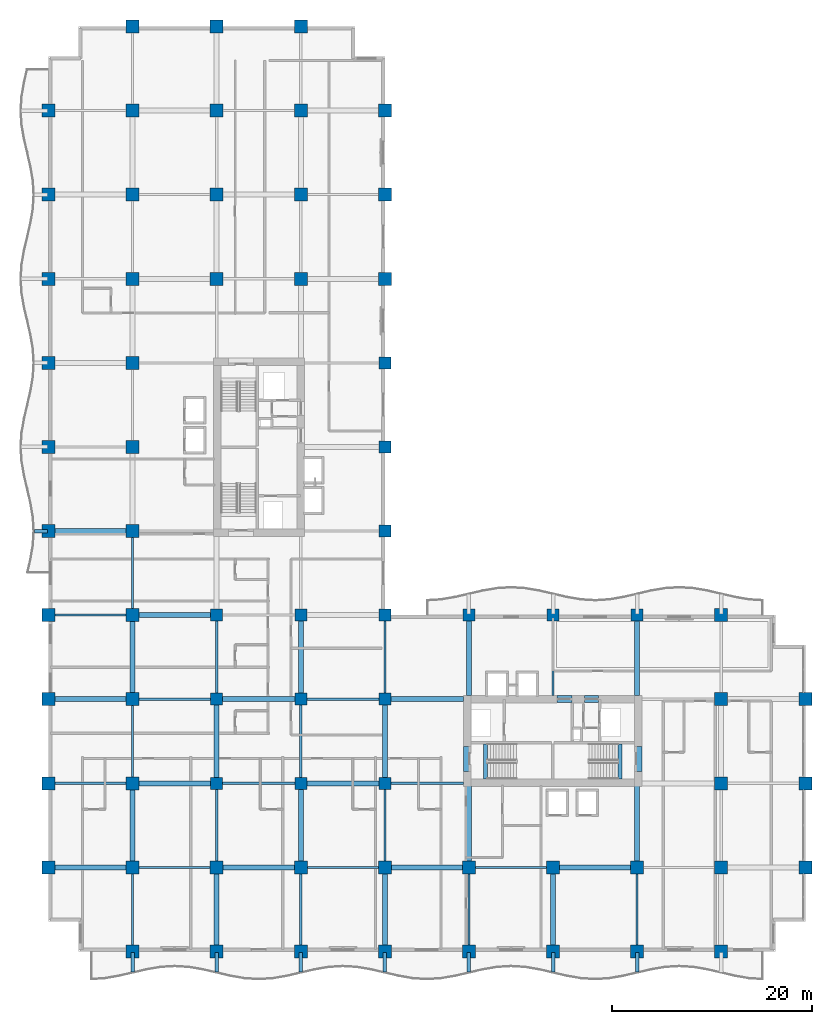
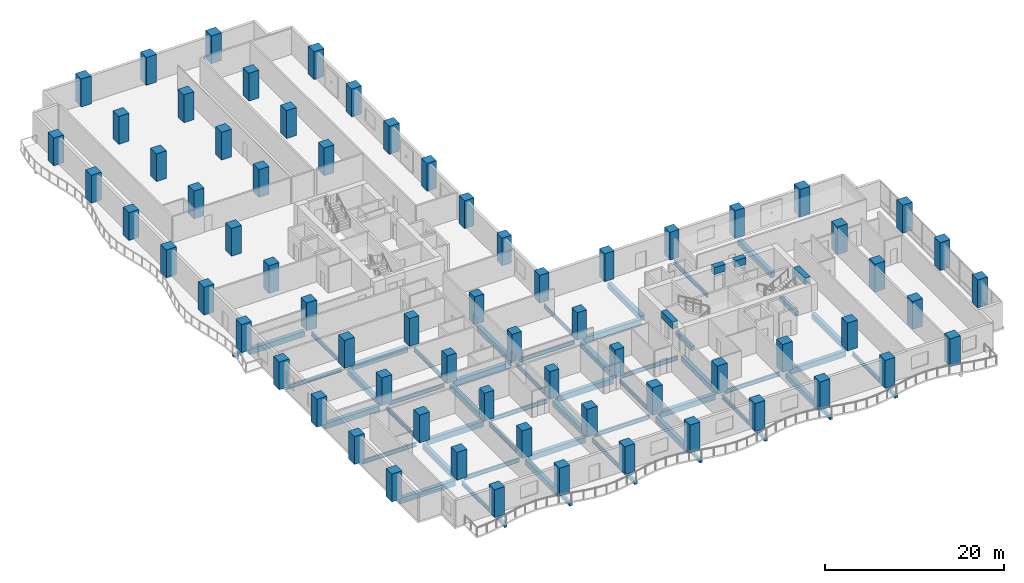
# One storey, part 1 of 23: 68 columns, 59 beams.
"""IFC4 building model written with IfcOpenShell, lengths in metres."""

from ifc_helpers import new_model, si_unit, direction, frame, origin, origin_2d, place, context, subcontext, project, spatial, rectangle, i_section, extrude, material, material_profile, profile_set, type_object, element, save


model = new_model("IFC4")

# Units and contexts
model_context = context("Model", 3, precision=1e-05, world=origin(), true_north=direction((0.0, 1.0)))
body_context = subcontext(model_context, "Body", "Model", "MODEL_VIEW")
ifc_project = project(units=[si_unit("LENGTHUNIT", "METRE"), si_unit("AREAUNIT", "SQUARE_METRE"), si_unit("VOLUMEUNIT", "CUBIC_METRE"), si_unit("PLANEANGLEUNIT", "RADIAN"), si_unit("MASSUNIT", "GRAM", prefix="KILO")], contexts=[model_context])

# Site, building, storey
site_placement = place(None, origin())
site = spatial("IfcSite", under=ifc_project, at=site_placement, CompositionType="ELEMENT")
building_placement = place(site_placement, origin())
building = spatial("IfcBuilding", under=site, at=building_placement, Name="Koriwani Terraces Tower", CompositionType="ELEMENT")
storey_placement = place(building_placement, frame((0.0, 0.0, 119.0)))
storey = spatial("IfcBuildingStorey", under=building, at=storey_placement, Name="L28", CompositionType="ELEMENT", Elevation=119.0)

# Columns
ifc_material_1 = material(Name="Concrete C60/75", Category="concrete")
ifc_material_profile_1 = material_profile(ifc_material_1, rectangle(XDim=1.199951171875, YDim=1.199951171875, at=origin_2d()), Name="Concrete C60/75", Category="LoadBearing")
ifc_profile_set_1 = profile_set([ifc_material_profile_1], Name="Concrete C60/75")
column_type_1 = type_object("IfcColumnType", Name="COL_RC_1200X1200", PredefinedType="COLUMN", material=ifc_profile_set_1)
for number, where, z_axis, x_axis, name in (
    (1, (16.800048828125, 16.800048828125, 0.0), (0.0, 0.0, 1.0), (1.0, 0.0, 0.0), "L28 Column 3/C"),
    (2, (16.800048828125, 25.199951171875, 0.0), (0.0, 0.0, 1.0), (1.0, 0.0, 0.0), "L28 Column 3/D"),
    (3, (16.800048828125, 33.60009765625, 0.0), (0.0, 0.0, 1.0), (1.0, 0.0, 0.0), "L28 Column 3/E"),
    (4, (25.199951171875, 16.800048828125, 0.0), (0.0, 0.0, 1.0), (1.0, 0.0, 0.0), "L28 Column 4/C"),
    (5, (25.199951171875, 25.199951171875, 0.0), (0.0, 0.0, 1.0), (1.0, 0.0, 0.0), "L28 Column 4/D"),
    (6, (25.199951171875, 33.60009765625, 0.0), (0.0, 0.0, 1.0), (1.0, 0.0, 0.0), "L28 Column 4/E"),
    (7, (33.60009765625, 16.800048828125, 0.0), (0.0, 0.0, 1.0), (1.0, 0.0, 0.0), "L28 Column 5/C"),
    (8, (33.60009765625, 25.199951171875, 0.0), (0.0, 0.0, 1.0), (1.0, 0.0, 0.0), "L28 Column 5/D"),
    (9, (33.60009765625, 33.60009765625, 0.0), (0.0, 0.0, 1.0), (1.0, 0.0, 0.0), "L28 Column 5/E"),
    (10, (33.60009765625, 42.0, 0.0), (0.0, 0.0, 1.0), (1.0, 0.0, 0.0), "L28 Column 5/F"),
    (11, (33.60009765625, 50.39990234375, 0.0), (0.0, 0.0, 1.0), (1.0, 0.0, 0.0), "L28 Column 5/G"),
    (12, (33.60009765625, 58.800048828125, 0.0), (0.0, 0.0, 1.0), (1.0, 0.0, 0.0), "L28 Column 5/H"),
    (13, (42.0, 33.60009765625, 0.0), (0.0, 0.0, 1.0), (1.0, 0.0, 0.0), "L28 Column 6/E"),
    (14, (50.39990234375, 33.60009765625, 0.0), (0.0, 0.0, 1.0), (1.0, 0.0, 0.0), "L28 Column 7/E"),
    (15, (58.800048828125, 33.60009765625, 0.0), (0.0, 0.0, 1.0), (1.0, 0.0, 0.0), "L28 Column 8/E"),
):
    element("IfcColumn", number, at=place(storey_placement, frame(where, z_axis=z_axis, x_axis=x_axis)), inside=storey, type_object=column_type_1, Name=name, PredefinedType="COLUMN", context=body_context, shape_type="SweptSolid", body=[
        extrude(rectangle(XDim=1.199951171875, YDim=1.199951171875, at=origin_2d()), origin(), (0.0, 0.0, 1.0), 3.800048828125),
    ])
ifc_material_profile_2 = material_profile(ifc_material_1, rectangle(XDim=1.300048828125, YDim=1.300048828125, at=origin_2d()), Name="Concrete C60/75", Category="LoadBearing")
ifc_profile_set_2 = profile_set([ifc_material_profile_2], Name="Concrete C60/75")
column_type_2 = type_object("IfcColumnType", Name="COL_RC_1300X1300", PredefinedType="COLUMN", material=ifc_profile_set_2)
for number, where, z_axis, x_axis, name in (
    (16, (0.0, 8.39990234375, 0.0), (0.0, 0.0, 1.0), (1.0, 0.0, 0.0), "L28 Column 1/B"),
    (17, (0.0, 16.800048828125, 0.0), (0.0, 0.0, 1.0), (1.0, 0.0, 0.0), "L28 Column 1/C"),
    (18, (0.0, 25.199951171875, 0.0), (0.0, 0.0, 1.0), (1.0, 0.0, 0.0), "L28 Column 1/D"),
    (19, (0.0, 33.60009765625, 0.0), (0.0, 0.0, 1.0), (1.0, 0.0, 0.0), "L28 Column 1/E"),
    (20, (0.0, 42.0, 0.0), (0.0, 0.0, 1.0), (1.0, 0.0, 0.0), "L28 Column 1/F"),
    (21, (0.0, 50.39990234375, 0.0), (0.0, 0.0, 1.0), (1.0, 0.0, 0.0), "L28 Column 1/G"),
    (22, (0.0, 58.800048828125, 0.0), (0.0, 0.0, 1.0), (1.0, 0.0, 0.0), "L28 Column 1/H"),
    (23, (0.0, 67.199951171875, 0.0), (0.0, 0.0, 1.0), (1.0, 0.0, 0.0), "L28 Column 1/I"),
    (24, (0.0, 75.60009765625, 0.0), (0.0, 0.0, 1.0), (1.0, 0.0, 0.0), "L28 Column 1/J"),
    (25, (0.0, 84.0, 0.0), (0.0, 0.0, 1.0), (1.0, 0.0, 0.0), "L28 Column 1/K"),
    (26, (8.39990234375, 0.0, 0.0), (0.0, 0.0, 1.0), (1.0, 0.0, 0.0), "L28 Column 2/A"),
    (27, (8.39990234375, 8.39990234375, 0.0), (0.0, 0.0, 1.0), (1.0, 0.0, 0.0), "L28 Column 2/B"),
    (28, (8.39990234375, 16.800048828125, 0.0), (0.0, 0.0, 1.0), (1.0, 0.0, 0.0), "L28 Column 2/C"),
    (29, (8.39990234375, 25.199951171875, 0.0), (0.0, 0.0, 1.0), (1.0, 0.0, 0.0), "L28 Column 2/D"),
    (30, (8.39990234375, 33.60009765625, 0.0), (0.0, 0.0, 1.0), (1.0, 0.0, 0.0), "L28 Column 2/E"),
    (31, (8.39990234375, 42.0, 0.0), (0.0, 0.0, 1.0), (1.0, 0.0, 0.0), "L28 Column 2/F"),
    (32, (8.39990234375, 50.39990234375, 0.0), (0.0, 0.0, 1.0), (1.0, 0.0, 0.0), "L28 Column 2/G"),
    (33, (8.39990234375, 58.800048828125, 0.0), (0.0, 0.0, 1.0), (1.0, 0.0, 0.0), "L28 Column 2/H"),
    (34, (8.39990234375, 67.199951171875, 0.0), (0.0, 0.0, 1.0), (1.0, 0.0, 0.0), "L28 Column 2/I"),
    (35, (8.39990234375, 75.60009765625, 0.0), (0.0, 0.0, 1.0), (1.0, 0.0, 0.0), "L28 Column 2/J"),
    (36, (8.39990234375, 84.0, 0.0), (0.0, 0.0, 1.0), (1.0, 0.0, 0.0), "L28 Column 2/K"),
    (37, (8.39990234375, 92.39990234375, 0.0), (0.0, 0.0, 1.0), (1.0, 0.0, 0.0), "L28 Column 2/L"),
    (38, (16.800048828125, 0.0, 0.0), (0.0, 0.0, 1.0), (1.0, 0.0, 0.0), "L28 Column 3/A"),
    (39, (16.800048828125, 8.39990234375, 0.0), (0.0, 0.0, 1.0), (1.0, 0.0, 0.0), "L28 Column 3/B"),
    (40, (16.800048828125, 67.199951171875, 0.0), (0.0, 0.0, 1.0), (1.0, 0.0, 0.0), "L28 Column 3/I"),
    (41, (16.800048828125, 75.60009765625, 0.0), (0.0, 0.0, 1.0), (1.0, 0.0, 0.0), "L28 Column 3/J"),
    (42, (16.800048828125, 84.0, 0.0), (0.0, 0.0, 1.0), (1.0, 0.0, 0.0), "L28 Column 3/K"),
    (43, (16.800048828125, 92.39990234375, 0.0), (0.0, 0.0, 1.0), (1.0, 0.0, 0.0), "L28 Column 3/L"),
    (44, (25.199951171875, 0.0, 0.0), (0.0, 0.0, 1.0), (1.0, 0.0, 0.0), "L28 Column 4/A"),
    (45, (25.199951171875, 8.39990234375, 0.0), (0.0, 0.0, 1.0), (1.0, 0.0, 0.0), "L28 Column 4/B"),
    (46, (25.199951171875, 67.199951171875, 0.0), (0.0, 0.0, 1.0), (1.0, 0.0, 0.0), "L28 Column 4/I"),
    (47, (25.199951171875, 75.60009765625, 0.0), (0.0, 0.0, 1.0), (1.0, 0.0, 0.0), "L28 Column 4/J"),
    (48, (25.199951171875, 84.0, 0.0), (0.0, 0.0, 1.0), (1.0, 0.0, 0.0), "L28 Column 4/K"),
    (49, (25.199951171875, 92.39990234375, 0.0), (0.0, 0.0, 1.0), (1.0, 0.0, 0.0), "L28 Column 4/L"),
    (50, (33.60009765625, 0.0, 0.0), (0.0, 0.0, 1.0), (1.0, 0.0, 0.0), "L28 Column 5/A"),
    (51, (33.60009765625, 8.39990234375, 0.0), (0.0, 0.0, 1.0), (1.0, 0.0, 0.0), "L28 Column 5/B"),
    (52, (33.60009765625, 67.199951171875, 0.0), (0.0, 0.0, 1.0), (1.0, 0.0, 0.0), "L28 Column 5/I"),
    (53, (33.60009765625, 75.60009765625, 0.0), (0.0, 0.0, 1.0), (1.0, 0.0, 0.0), "L28 Column 5/J"),
    (54, (33.60009765625, 84.0, 0.0), (0.0, 0.0, 1.0), (1.0, 0.0, 0.0), "L28 Column 5/K"),
    (55, (42.0, 0.0, 0.0), (0.0, 0.0, 1.0), (1.0, 0.0, 0.0), "L28 Column 6/A"),
    (56, (42.0, 8.39990234375, 0.0), (0.0, 0.0, 1.0), (1.0, 0.0, 0.0), "L28 Column 6/B"),
    (57, (50.39990234375, 0.0, 0.0), (0.0, 0.0, 1.0), (1.0, 0.0, 0.0), "L28 Column 7/A"),
    (58, (50.39990234375, 8.39990234375, 0.0), (0.0, 0.0, 1.0), (1.0, 0.0, 0.0), "L28 Column 7/B"),
    (59, (58.800048828125, 0.0, 0.0), (0.0, 0.0, 1.0), (1.0, 0.0, 0.0), "L28 Column 8/A"),
    (60, (58.800048828125, 8.39990234375, 0.0), (0.0, 0.0, 1.0), (1.0, 0.0, 0.0), "L28 Column 8/B"),
    (61, (67.199951171875, 0.0, 0.0), (0.0, 0.0, 1.0), (1.0, 0.0, 0.0), "L28 Column 9/A"),
    (62, (67.199951171875, 8.39990234375, 0.0), (0.0, 0.0, 1.0), (1.0, 0.0, 0.0), "L28 Column 9/B"),
    (63, (67.199951171875, 16.800048828125, 0.0), (0.0, 0.0, 1.0), (1.0, 0.0, 0.0), "L28 Column 9/C"),
    (64, (67.199951171875, 25.199951171875, 0.0), (0.0, 0.0, 1.0), (1.0, 0.0, 0.0), "L28 Column 9/D"),
    (65, (67.199951171875, 33.60009765625, 0.0), (0.0, 0.0, 1.0), (1.0, 0.0, 0.0), "L28 Column 9/E"),
    (66, (75.60009765625, 8.39990234375, 0.0), (0.0, 0.0, 1.0), (1.0, 0.0, 0.0), "L28 Column 10/B"),
    (67, (75.60009765625, 16.800048828125, 0.0), (0.0, 0.0, 1.0), (1.0, 0.0, 0.0), "L28 Column 10/C"),
    (68, (75.60009765625, 25.199951171875, 0.0), (0.0, 0.0, 1.0), (1.0, 0.0, 0.0), "L28 Column 10/D"),
):
    element("IfcColumn", number, at=place(storey_placement, frame(where, z_axis=z_axis, x_axis=x_axis)), inside=storey, type_object=column_type_2, Name=name, PredefinedType="COLUMN", context=body_context, shape_type="SweptSolid", body=[
        extrude(rectangle(XDim=1.300048828125, YDim=1.300048828125, at=origin_2d()), origin(), (0.0, 0.0, 1.0), 3.800048828125),
    ])

# Beams
ifc_material_2 = material(Name="Concrete C40/50", Category="concrete")
ifc_material_profile_3 = material_profile(ifc_material_2, rectangle(XDim=0.35009765625, YDim=0.449951171875, at=origin_2d()), Name="Concrete C40/50", Category="LoadBearing")
ifc_profile_set_3 = profile_set([ifc_material_profile_3], Name="Concrete C40/50")
beam_type_1 = type_object("IfcBeamType", Name="BEAM_RC_BALCONY_RIB_350X450", PredefinedType="JOIST", material=ifc_profile_set_3)
for number, where, z_axis, x_axis, name in (
    (69, (8.39990234375, -2.050048828125, -0.47509765625), (0.0, 1.0, 0.0), (-1.0, 0.0, 0.0), "L28 Balcony Bracket Rib S-1"),
    (70, (16.800048828125, -2.050048828125, -0.47509765625), (0.0, 1.0, 0.0), (-1.0, 0.0, 0.0), "L28 Balcony Bracket Rib S-2"),
    (71, (25.199951171875, -2.050048828125, -0.47509765625), (0.0, 1.0, 0.0), (-1.0, 0.0, 0.0), "L28 Balcony Bracket Rib S-3"),
    (72, (33.60009765625, -2.050048828125, -0.47509765625), (0.0, 1.0, 0.0), (-1.0, 0.0, 0.0), "L28 Balcony Bracket Rib S-4"),
    (73, (42.0, -2.050048828125, -0.47509765625), (0.0, 1.0, 0.0), (-1.0, 0.0, 0.0), "L28 Balcony Bracket Rib S-5"),
    (74, (50.39990234375, -2.050048828125, -0.47509765625), (0.0, 1.0, 0.0), (-1.0, 0.0, 0.0), "L28 Balcony Bracket Rib S-6"),
    (75, (58.800048828125, -2.050048828125, -0.47509765625), (0.0, 1.0, 0.0), (-1.0, 0.0, 0.0), "L28 Balcony Bracket Rib S-7"),
):
    element("IfcBeam", number, at=place(storey_placement, frame(where, z_axis=z_axis, x_axis=x_axis)), inside=storey, type_object=beam_type_1, Name=name, PredefinedType="JOIST", context=body_context, shape_type="SweptSolid", body=[
        extrude(rectangle(XDim=0.35009765625, YDim=0.449951171875, at=origin_2d()), origin(), (0.0, 0.0, 1.0), 1.949951171875),
    ])
beam_1_placement = place(storey_placement, frame((-1.39990234375, 42.0, -0.47509765625), z_axis=(1.0, 0.0, 0.0), x_axis=(0.0, 1.0, 0.0)))
element("IfcBeam", 76, at=beam_1_placement, inside=storey, type_object=beam_type_1, Name="L28 Balcony Bracket Rib W-1", PredefinedType="JOIST", context=body_context, shape_type="SweptSolid", body=[
    extrude(rectangle(XDim=0.35009765625, YDim=0.449951171875, at=origin_2d()), origin(), (0.0, 0.0, 1.0), 1.2998046875),
])
ifc_material_profile_4 = material_profile(ifc_material_1, rectangle(XDim=0.699951171875, YDim=0.949951171875, at=origin_2d()), Name="Concrete C60/75", Category="LoadBearing")
ifc_profile_set_4 = profile_set([ifc_material_profile_4], Name="Concrete C60/75")
beam_type_2 = type_object("IfcBeamType", Name="BEAM_RC_COUPLING_700X950", PredefinedType="LINTEL", material=ifc_profile_set_4)
beam_2_placement = place(storey_placement, frame((50.800048828125, 25.199951171875, 3.074951171875), z_axis=(1.0, 0.0, 0.0), x_axis=(0.0, 1.0, 0.0)))
element("IfcBeam", 77, at=beam_2_placement, inside=storey, type_object=beam_type_2, Name="L28 Core Coupling Lintel Beam EN1", PredefinedType="LINTEL", context=body_context, shape_type="SweptSolid", body=[
    extrude(rectangle(XDim=0.699951171875, YDim=0.949951171875, at=origin_2d()), origin(), (0.0, 0.0, 1.0), 1.47998046875),
])
beam_3_placement = place(storey_placement, frame((53.550048828125, 25.199951171875, 3.074951171875), z_axis=(1.0, 0.0, 0.0), x_axis=(0.0, 1.0, 0.0)))
element("IfcBeam", 78, at=beam_3_placement, inside=storey, type_object=beam_type_2, Name="L28 Core Coupling Lintel Beam EN2", PredefinedType="LINTEL", context=body_context, shape_type="SweptSolid", body=[
    extrude(rectangle(XDim=0.699951171875, YDim=0.949951171875, at=origin_2d()), origin(), (0.0, 0.0, 1.0), 1.39990234375),
])
for number, where, z_axis, x_axis, name in (
    (79, (41.824951171875, 18.0, 3.074951171875), (0.0, 1.0, 0.0), (-1.0, 0.0, 0.0), "L28 Core Coupling Lintel Beam EW"),
    (80, (58.925048828125, 18.0, 3.074951171875), (0.0, 1.0, 0.0), (-1.0, 0.0, 0.0), "L28 Core Coupling Lintel Beam EE"),
):
    element("IfcBeam", number, at=place(storey_placement, frame(where, z_axis=z_axis, x_axis=x_axis)), inside=storey, type_object=beam_type_2, Name=name, PredefinedType="LINTEL", context=body_context, shape_type="SweptSolid", body=[
        extrude(rectangle(XDim=0.699951171875, YDim=0.949951171875, at=origin_2d()), origin(), (0.0, 0.0, 1.0), 2.5),
    ])
ifc_material_profile_5 = material_profile(ifc_material_2, rectangle(XDim=0.39990234375, YDim=0.60009765625, at=origin_2d()), Name="Concrete C40/50", Category="LoadBearing")
ifc_profile_set_5 = profile_set([ifc_material_profile_5], Name="Concrete C40/50")
beam_type_3 = type_object("IfcBeamType", Name="BEAM_RC_GRID_400X600", PredefinedType="BEAM", material=ifc_profile_set_5)
for number, where, z_axis, x_axis, name in (
    (81, (43.655029296875, 17.25, -0.300048828125), (0.0, 1.0, 0.0), (-1.0, 0.0, 0.0), "L28 Stairwell Header Trimmer Beam ST-E1"),
    (82, (57.094970703125, 17.25, -0.300048828125), (0.0, 1.0, 0.0), (-1.0, 0.0, 0.0), "L28 Stairwell Header Trimmer Beam ST-E2"),
):
    element("IfcBeam", number, at=place(storey_placement, frame(where, z_axis=z_axis, x_axis=x_axis)), inside=storey, type_object=beam_type_3, Name=name, PredefinedType="BEAM", context=body_context, shape_type="SweptSolid", body=[
        extrude(rectangle(XDim=0.39990234375, YDim=0.60009765625, at=origin_2d()), origin(), (0.0, 0.0, 1.0), 3.5),
    ])
ifc_material_3 = material(Name="Concrete C50/60", Category="concrete")
ifc_material_profile_6 = material_profile(ifc_material_3, rectangle(XDim=0.5, YDim=0.75, at=origin_2d()), Name="Concrete C50/60", Category="LoadBearing")
ifc_profile_set_6 = profile_set([ifc_material_profile_6], Name="Concrete C50/60")
beam_type_4 = type_object("IfcBeamType", Name="BEAM_RC_GRID_500X750", PredefinedType="BEAM", material=ifc_profile_set_6)
for number, where, z_axis, x_axis, name in (
    (83, (0.6298828125, 8.39990234375, -0.625), (1.0, 0.0, 0.0), (0.0, 1.0, 0.0), "L28 Grid Beam B (0.0-8.4m)"),
    (84, (17.429931640625, 8.39990234375, -0.625), (1.0, 0.0, 0.0), (0.0, 1.0, 0.0), "L28 Grid Beam B (16.8-25.2m)"),
    (85, (34.22998046875, 8.39990234375, -0.625), (1.0, 0.0, 0.0), (0.0, 1.0, 0.0), "L28 Grid Beam B (33.6-42.0m)"),
):
    element("IfcBeam", number, at=place(storey_placement, frame(where, z_axis=z_axis, x_axis=x_axis)), inside=storey, type_object=beam_type_4, Name=name, PredefinedType="BEAM", context=body_context, shape_type="SweptSolid", body=[
        extrude(rectangle(XDim=0.5, YDim=0.75, at=origin_2d()), origin(), (0.0, 0.0, 1.0), 7.14013671875),
    ])
beam_4_placement = place(storey_placement, frame((51.030029296875, 8.39990234375, -0.625), z_axis=(1.0, 0.0, 0.0), x_axis=(0.0, 1.0, 0.0)))
element("IfcBeam", 86, at=beam_4_placement, inside=storey, type_object=beam_type_4, Name="L28 Grid Beam B (50.4-58.8m)", PredefinedType="BEAM", context=body_context, shape_type="SweptSolid", body=[
    extrude(rectangle(XDim=0.5, YDim=0.75, at=origin_2d()), origin(), (0.0, 0.0, 1.0), 7.139892578125),
])
beam_5_placement = place(storey_placement, frame((9.030029296875, 16.800048828125, -0.625), z_axis=(1.0, 0.0, 0.0), x_axis=(0.0, 1.0, 0.0)))
element("IfcBeam", 87, at=beam_5_placement, inside=storey, type_object=beam_type_4, Name="L28 Grid Beam C (8.4-16.8m)", PredefinedType="BEAM", context=body_context, shape_type="SweptSolid", body=[
    extrude(rectangle(XDim=0.5, YDim=0.75, at=origin_2d()), origin(), (0.0, 0.0, 1.0), 7.18994140625),
])
beam_6_placement = place(storey_placement, frame((25.780029296875, 16.800048828125, -0.625), z_axis=(1.0, 0.0, 0.0), x_axis=(0.0, 1.0, 0.0)))
element("IfcBeam", 88, at=beam_6_placement, inside=storey, type_object=beam_type_4, Name="L28 Grid Beam C (25.2-33.6m)", PredefinedType="BEAM", context=body_context, shape_type="SweptSolid", body=[
    extrude(rectangle(XDim=0.5, YDim=0.75, at=origin_2d()), origin(), (0.0, 0.0, 1.0), 7.239990234375),
])
beam_7_placement = place(storey_placement, frame((0.6298828125, 25.199951171875, -0.625), z_axis=(1.0, 0.0, 0.0), x_axis=(0.0, 1.0, 0.0)))
element("IfcBeam", 89, at=beam_7_placement, inside=storey, type_object=beam_type_4, Name="L28 Grid Beam D (0.0-8.4m)", PredefinedType="BEAM", context=body_context, shape_type="SweptSolid", body=[
    extrude(rectangle(XDim=0.5, YDim=0.75, at=origin_2d()), origin(), (0.0, 0.0, 1.0), 7.14013671875),
])
beam_8_placement = place(storey_placement, frame((17.3798828125, 25.199951171875, -0.625), z_axis=(1.0, 0.0, 0.0), x_axis=(0.0, 1.0, 0.0)))
element("IfcBeam", 90, at=beam_8_placement, inside=storey, type_object=beam_type_4, Name="L28 Grid Beam D (16.8-25.2m)", PredefinedType="BEAM", context=body_context, shape_type="SweptSolid", body=[
    extrude(rectangle(XDim=0.5, YDim=0.75, at=origin_2d()), origin(), (0.0, 0.0, 1.0), 7.240234375),
])
beam_9_placement = place(storey_placement, frame((34.179931640625, 25.199951171875, -0.625), z_axis=(1.0, 0.0, 0.0), x_axis=(0.0, 1.0, 0.0)))
element("IfcBeam", 91, at=beam_9_placement, inside=storey, type_object=beam_type_4, Name="L28 Grid Beam D (33.6-42.0m)", PredefinedType="BEAM", context=body_context, shape_type="SweptSolid", body=[
    extrude(rectangle(XDim=0.5, YDim=0.75, at=origin_2d()), origin(), (0.0, 0.0, 1.0), 7.2900390625),
])
beam_10_placement = place(storey_placement, frame((9.030029296875, 33.60009765625, -0.625), z_axis=(1.0, 0.0, 0.0), x_axis=(0.0, 1.0, 0.0)))
element("IfcBeam", 92, at=beam_10_placement, inside=storey, type_object=beam_type_4, Name="L28 Grid Beam E (8.4-16.8m)", PredefinedType="BEAM", context=body_context, shape_type="SweptSolid", body=[
    extrude(rectangle(XDim=0.5, YDim=0.75, at=origin_2d()), origin(), (0.0, 0.0, 1.0), 7.18994140625),
])
beam_11_placement = place(storey_placement, frame((0.6298828125, 42.0, -0.625), z_axis=(1.0, 0.0, 0.0), x_axis=(0.0, 1.0, 0.0)))
element("IfcBeam", 93, at=beam_11_placement, inside=storey, type_object=beam_type_4, Name="L28 Grid Beam F (0.0-8.4m)", PredefinedType="BEAM", context=body_context, shape_type="SweptSolid", body=[
    extrude(rectangle(XDim=0.5, YDim=0.75, at=origin_2d()), origin(), (0.0, 0.0, 1.0), 7.14013671875),
])
for number, where, z_axis, x_axis, name in (
    (94, (8.39990234375, 9.030029296875, -0.625), (0.0, 1.0, 0.0), (-1.0, 0.0, 0.0), "L28 Grid Beam 2 (8.4-16.8m)"),
    (95, (8.39990234375, 25.830078125, -0.625), (0.0, 1.0, 0.0), (-1.0, 0.0, 0.0), "L28 Grid Beam 2 (25.2-33.6m)"),
):
    element("IfcBeam", number, at=place(storey_placement, frame(where, z_axis=z_axis, x_axis=x_axis)), inside=storey, type_object=beam_type_4, Name=name, PredefinedType="BEAM", context=body_context, shape_type="SweptSolid", body=[
        extrude(rectangle(XDim=0.5, YDim=0.75, at=origin_2d()), origin(), (0.0, 0.0, 1.0), 7.139892578125),
    ])
beam_12_placement = place(storey_placement, frame((16.800048828125, 0.6298828125, -0.625), z_axis=(0.0, 1.0, 0.0), x_axis=(-1.0, 0.0, 0.0)))
element("IfcBeam", 96, at=beam_12_placement, inside=storey, type_object=beam_type_4, Name="L28 Grid Beam 3 (0.0-8.4m)", PredefinedType="BEAM", context=body_context, shape_type="SweptSolid", body=[
    extrude(rectangle(XDim=0.5, YDim=0.75, at=origin_2d()), origin(), (0.0, 0.0, 1.0), 7.14013671875),
])
beam_13_placement = place(storey_placement, frame((16.800048828125, 17.3798828125, -0.625), z_axis=(0.0, 1.0, 0.0), x_axis=(-1.0, 0.0, 0.0)))
element("IfcBeam", 97, at=beam_13_placement, inside=storey, type_object=beam_type_4, Name="L28 Grid Beam 3 (16.8-25.2m)", PredefinedType="BEAM", context=body_context, shape_type="SweptSolid", body=[
    extrude(rectangle(XDim=0.5, YDim=0.75, at=origin_2d()), origin(), (0.0, 0.0, 1.0), 7.240234375),
])
beam_14_placement = place(storey_placement, frame((25.199951171875, 9.030029296875, -0.625), z_axis=(0.0, 1.0, 0.0), x_axis=(-1.0, 0.0, 0.0)))
element("IfcBeam", 98, at=beam_14_placement, inside=storey, type_object=beam_type_4, Name="L28 Grid Beam 4 (8.4-16.8m)", PredefinedType="BEAM", context=body_context, shape_type="SweptSolid", body=[
    extrude(rectangle(XDim=0.5, YDim=0.75, at=origin_2d()), origin(), (0.0, 0.0, 1.0), 7.18994140625),
])
beam_15_placement = place(storey_placement, frame((25.199951171875, 25.780029296875, -0.625), z_axis=(0.0, 1.0, 0.0), x_axis=(-1.0, 0.0, 0.0)))
element("IfcBeam", 99, at=beam_15_placement, inside=storey, type_object=beam_type_4, Name="L28 Grid Beam 4 (25.2-33.6m)", PredefinedType="BEAM", context=body_context, shape_type="SweptSolid", body=[
    extrude(rectangle(XDim=0.5, YDim=0.75, at=origin_2d()), origin(), (0.0, 0.0, 1.0), 7.239990234375),
])
beam_16_placement = place(storey_placement, frame((33.60009765625, 0.6298828125, -0.625), z_axis=(0.0, 1.0, 0.0), x_axis=(-1.0, 0.0, 0.0)))
element("IfcBeam", 100, at=beam_16_placement, inside=storey, type_object=beam_type_4, Name="L28 Grid Beam 5 (0.0-8.4m)", PredefinedType="BEAM", context=body_context, shape_type="SweptSolid", body=[
    extrude(rectangle(XDim=0.5, YDim=0.75, at=origin_2d()), origin(), (0.0, 0.0, 1.0), 7.14013671875),
])
beam_17_placement = place(storey_placement, frame((33.60009765625, 17.3798828125, -0.625), z_axis=(0.0, 1.0, 0.0), x_axis=(-1.0, 0.0, 0.0)))
element("IfcBeam", 101, at=beam_17_placement, inside=storey, type_object=beam_type_4, Name="L28 Grid Beam 5 (16.8-25.2m)", PredefinedType="BEAM", context=body_context, shape_type="SweptSolid", body=[
    extrude(rectangle(XDim=0.5, YDim=0.75, at=origin_2d()), origin(), (0.0, 0.0, 1.0), 7.240234375),
])
beam_18_placement = place(storey_placement, frame((42.0, 9.030029296875, -0.625), z_axis=(0.0, 1.0, 0.0), x_axis=(-1.0, 0.0, 0.0)))
element("IfcBeam", 102, at=beam_18_placement, inside=storey, type_object=beam_type_4, Name="L28 Grid Beam 6 (8.4-16.8m)", PredefinedType="BEAM", context=body_context, shape_type="SweptSolid", body=[
    extrude(rectangle(XDim=0.5, YDim=0.75, at=origin_2d()), origin(), (0.0, 0.0, 1.0), 7.489990234375),
])
beam_19_placement = place(storey_placement, frame((42.0, 25.554931640625, -0.625), z_axis=(0.0, 1.0, 0.0), x_axis=(-1.0, 0.0, 0.0)))
element("IfcBeam", 103, at=beam_19_placement, inside=storey, type_object=beam_type_4, Name="L28 Grid Beam 6 (25.2-33.6m)", PredefinedType="BEAM", context=body_context, shape_type="SweptSolid", body=[
    extrude(rectangle(XDim=0.5, YDim=0.75, at=origin_2d()), origin(), (0.0, 0.0, 1.0), 7.465087890625),
])
beam_20_placement = place(storey_placement, frame((50.39990234375, 0.6298828125, -0.625), z_axis=(0.0, 1.0, 0.0), x_axis=(-1.0, 0.0, 0.0)))
element("IfcBeam", 104, at=beam_20_placement, inside=storey, type_object=beam_type_4, Name="L28 Grid Beam 7 (0.0-8.4m)", PredefinedType="BEAM", context=body_context, shape_type="SweptSolid", body=[
    extrude(rectangle(XDim=0.5, YDim=0.75, at=origin_2d()), origin(), (0.0, 0.0, 1.0), 7.14013671875),
])
beam_21_placement = place(storey_placement, frame((58.800048828125, 9.030029296875, -0.625), z_axis=(0.0, 1.0, 0.0), x_axis=(-1.0, 0.0, 0.0)))
element("IfcBeam", 105, at=beam_21_placement, inside=storey, type_object=beam_type_4, Name="L28 Grid Beam 8 (8.4-16.8m)", PredefinedType="BEAM", context=body_context, shape_type="SweptSolid", body=[
    extrude(rectangle(XDim=0.5, YDim=0.75, at=origin_2d()), origin(), (0.0, 0.0, 1.0), 7.489990234375),
])
beam_22_placement = place(storey_placement, frame((58.800048828125, 25.554931640625, -0.625), z_axis=(0.0, 1.0, 0.0), x_axis=(-1.0, 0.0, 0.0)))
element("IfcBeam", 106, at=beam_22_placement, inside=storey, type_object=beam_type_4, Name="L28 Grid Beam 8 (25.2-33.6m)", PredefinedType="BEAM", context=body_context, shape_type="SweptSolid", body=[
    extrude(rectangle(XDim=0.5, YDim=0.75, at=origin_2d()), origin(), (0.0, 0.0, 1.0), 7.465087890625),
])
ifc_material_4 = material(Name="Steel ASTM A572 Grade 50", Category="steel")
ifc_material_profile_7 = material_profile(ifc_material_4, i_section(OverallWidth=0.2119140625, OverallDepth=0.54296875, WebThickness=0.0126953125, FlangeThickness=0.021240234375, at=origin_2d()), Name="Steel ASTM A572 Grade 50", Category="LoadBearing")
ifc_profile_set_7 = profile_set([ifc_material_profile_7], Name="Steel ASTM A572 Grade 50")
beam_type_5 = type_object("IfcBeamType", Name="STEEL_BEAM_W530X150", PredefinedType="BEAM", material=ifc_profile_set_7)
for number, where, z_axis, x_axis, name in (
    (107, (9.030029296875, 8.39990234375, -0.521484375), (1.0, 0.0, 0.0), (0.0, 1.0, 0.0), "L28 Grid Beam B (8.4-16.8m)"),
    (108, (25.830078125, 8.39990234375, -0.521484375), (1.0, 0.0, 0.0), (0.0, 1.0, 0.0), "L28 Grid Beam B (25.2-33.6m)"),
):
    element("IfcBeam", number, at=place(storey_placement, frame(where, z_axis=z_axis, x_axis=x_axis)), inside=storey, type_object=beam_type_5, Name=name, PredefinedType="BEAM", context=body_context, shape_type="SweptSolid", body=[
        extrude(i_section(OverallWidth=0.2119140625, OverallDepth=0.54296875, WebThickness=0.0126953125, FlangeThickness=0.021240234375, at=origin_2d()), origin(), (0.0, 0.0, 1.0), 7.139892578125),
    ])
for number, where, z_axis, x_axis, name in (
    (109, (42.6298828125, 8.39990234375, -0.521484375), (1.0, 0.0, 0.0), (0.0, 1.0, 0.0), "L28 Grid Beam B (42.0-50.4m)"),
    (110, (0.6298828125, 16.800048828125, -0.521484375), (1.0, 0.0, 0.0), (0.0, 1.0, 0.0), "L28 Grid Beam C (0.0-8.4m)"),
):
    element("IfcBeam", number, at=place(storey_placement, frame(where, z_axis=z_axis, x_axis=x_axis)), inside=storey, type_object=beam_type_5, Name=name, PredefinedType="BEAM", context=body_context, shape_type="SweptSolid", body=[
        extrude(i_section(OverallWidth=0.2119140625, OverallDepth=0.54296875, WebThickness=0.0126953125, FlangeThickness=0.021240234375, at=origin_2d()), origin(), (0.0, 0.0, 1.0), 7.14013671875),
    ])
beam_23_placement = place(storey_placement, frame((17.3798828125, 16.800048828125, -0.521484375), z_axis=(1.0, 0.0, 0.0), x_axis=(0.0, 1.0, 0.0)))
element("IfcBeam", 111, at=beam_23_placement, inside=storey, type_object=beam_type_5, Name="L28 Grid Beam C (16.8-25.2m)", PredefinedType="BEAM", context=body_context, shape_type="SweptSolid", body=[
    extrude(i_section(OverallWidth=0.2119140625, OverallDepth=0.54296875, WebThickness=0.0126953125, FlangeThickness=0.021240234375, at=origin_2d()), origin(), (0.0, 0.0, 1.0), 7.240234375),
])
beam_24_placement = place(storey_placement, frame((34.179931640625, 16.800048828125, -0.521484375), z_axis=(1.0, 0.0, 0.0), x_axis=(0.0, 1.0, 0.0)))
element("IfcBeam", 112, at=beam_24_placement, inside=storey, type_object=beam_type_5, Name="L28 Grid Beam C (33.6-42.0m)", PredefinedType="BEAM", context=body_context, shape_type="SweptSolid", body=[
    extrude(i_section(OverallWidth=0.2119140625, OverallDepth=0.54296875, WebThickness=0.0126953125, FlangeThickness=0.021240234375, at=origin_2d()), origin(), (0.0, 0.0, 1.0), 7.2900390625),
])
beam_25_placement = place(storey_placement, frame((9.030029296875, 25.199951171875, -0.521484375), z_axis=(1.0, 0.0, 0.0), x_axis=(0.0, 1.0, 0.0)))
element("IfcBeam", 113, at=beam_25_placement, inside=storey, type_object=beam_type_5, Name="L28 Grid Beam D (8.4-16.8m)", PredefinedType="BEAM", context=body_context, shape_type="SweptSolid", body=[
    extrude(i_section(OverallWidth=0.2119140625, OverallDepth=0.54296875, WebThickness=0.0126953125, FlangeThickness=0.021240234375, at=origin_2d()), origin(), (0.0, 0.0, 1.0), 7.18994140625),
])
beam_26_placement = place(storey_placement, frame((25.780029296875, 25.199951171875, -0.521484375), z_axis=(1.0, 0.0, 0.0), x_axis=(0.0, 1.0, 0.0)))
element("IfcBeam", 114, at=beam_26_placement, inside=storey, type_object=beam_type_5, Name="L28 Grid Beam D (25.2-33.6m)", PredefinedType="BEAM", context=body_context, shape_type="SweptSolid", body=[
    extrude(i_section(OverallWidth=0.2119140625, OverallDepth=0.54296875, WebThickness=0.0126953125, FlangeThickness=0.021240234375, at=origin_2d()), origin(), (0.0, 0.0, 1.0), 7.239990234375),
])
for number, where, z_axis, x_axis, name in (
    (115, (0.6298828125, 33.60009765625, -0.521484375), (1.0, 0.0, 0.0), (0.0, 1.0, 0.0), "L28 Grid Beam E (0.0-8.4m)"),
    (116, (8.39990234375, 0.6298828125, -0.521484375), (0.0, 1.0, 0.0), (-1.0, 0.0, 0.0), "L28 Grid Beam 2 (0.0-8.4m)"),
    (117, (8.39990234375, 17.429931640625, -0.521484375), (0.0, 1.0, 0.0), (-1.0, 0.0, 0.0), "L28 Grid Beam 2 (16.8-25.2m)"),
    (118, (8.39990234375, 34.22998046875, -0.521484375), (0.0, 1.0, 0.0), (-1.0, 0.0, 0.0), "L28 Grid Beam 2 (33.6-42.0m)"),
):
    element("IfcBeam", number, at=place(storey_placement, frame(where, z_axis=z_axis, x_axis=x_axis)), inside=storey, type_object=beam_type_5, Name=name, PredefinedType="BEAM", context=body_context, shape_type="SweptSolid", body=[
        extrude(i_section(OverallWidth=0.2119140625, OverallDepth=0.54296875, WebThickness=0.0126953125, FlangeThickness=0.021240234375, at=origin_2d()), origin(), (0.0, 0.0, 1.0), 7.14013671875),
    ])
beam_27_placement = place(storey_placement, frame((16.800048828125, 9.030029296875, -0.521484375), z_axis=(0.0, 1.0, 0.0), x_axis=(-1.0, 0.0, 0.0)))
element("IfcBeam", 119, at=beam_27_placement, inside=storey, type_object=beam_type_5, Name="L28 Grid Beam 3 (8.4-16.8m)", PredefinedType="BEAM", context=body_context, shape_type="SweptSolid", body=[
    extrude(i_section(OverallWidth=0.2119140625, OverallDepth=0.54296875, WebThickness=0.0126953125, FlangeThickness=0.021240234375, at=origin_2d()), origin(), (0.0, 0.0, 1.0), 7.18994140625),
])
beam_28_placement = place(storey_placement, frame((16.800048828125, 25.780029296875, -0.521484375), z_axis=(0.0, 1.0, 0.0), x_axis=(-1.0, 0.0, 0.0)))
element("IfcBeam", 120, at=beam_28_placement, inside=storey, type_object=beam_type_5, Name="L28 Grid Beam 3 (25.2-33.6m)", PredefinedType="BEAM", context=body_context, shape_type="SweptSolid", body=[
    extrude(i_section(OverallWidth=0.2119140625, OverallDepth=0.54296875, WebThickness=0.0126953125, FlangeThickness=0.021240234375, at=origin_2d()), origin(), (0.0, 0.0, 1.0), 7.239990234375),
])
beam_29_placement = place(storey_placement, frame((25.199951171875, 0.6298828125, -0.521484375), z_axis=(0.0, 1.0, 0.0), x_axis=(-1.0, 0.0, 0.0)))
element("IfcBeam", 121, at=beam_29_placement, inside=storey, type_object=beam_type_5, Name="L28 Grid Beam 4 (0.0-8.4m)", PredefinedType="BEAM", context=body_context, shape_type="SweptSolid", body=[
    extrude(i_section(OverallWidth=0.2119140625, OverallDepth=0.54296875, WebThickness=0.0126953125, FlangeThickness=0.021240234375, at=origin_2d()), origin(), (0.0, 0.0, 1.0), 7.14013671875),
])
beam_30_placement = place(storey_placement, frame((25.199951171875, 17.3798828125, -0.521484375), z_axis=(0.0, 1.0, 0.0), x_axis=(-1.0, 0.0, 0.0)))
element("IfcBeam", 122, at=beam_30_placement, inside=storey, type_object=beam_type_5, Name="L28 Grid Beam 4 (16.8-25.2m)", PredefinedType="BEAM", context=body_context, shape_type="SweptSolid", body=[
    extrude(i_section(OverallWidth=0.2119140625, OverallDepth=0.54296875, WebThickness=0.0126953125, FlangeThickness=0.021240234375, at=origin_2d()), origin(), (0.0, 0.0, 1.0), 7.240234375),
])
beam_31_placement = place(storey_placement, frame((33.60009765625, 9.030029296875, -0.521484375), z_axis=(0.0, 1.0, 0.0), x_axis=(-1.0, 0.0, 0.0)))
element("IfcBeam", 123, at=beam_31_placement, inside=storey, type_object=beam_type_5, Name="L28 Grid Beam 5 (8.4-16.8m)", PredefinedType="BEAM", context=body_context, shape_type="SweptSolid", body=[
    extrude(i_section(OverallWidth=0.2119140625, OverallDepth=0.54296875, WebThickness=0.0126953125, FlangeThickness=0.021240234375, at=origin_2d()), origin(), (0.0, 0.0, 1.0), 7.18994140625),
])
beam_32_placement = place(storey_placement, frame((33.60009765625, 25.780029296875, -0.521484375), z_axis=(0.0, 1.0, 0.0), x_axis=(-1.0, 0.0, 0.0)))
element("IfcBeam", 124, at=beam_32_placement, inside=storey, type_object=beam_type_5, Name="L28 Grid Beam 5 (25.2-33.6m)", PredefinedType="BEAM", context=body_context, shape_type="SweptSolid", body=[
    extrude(i_section(OverallWidth=0.2119140625, OverallDepth=0.54296875, WebThickness=0.0126953125, FlangeThickness=0.021240234375, at=origin_2d()), origin(), (0.0, 0.0, 1.0), 7.239990234375),
])
beam_33_placement = place(storey_placement, frame((42.0, 0.6298828125, -0.521484375), z_axis=(0.0, 1.0, 0.0), x_axis=(-1.0, 0.0, 0.0)))
element("IfcBeam", 125, at=beam_33_placement, inside=storey, type_object=beam_type_5, Name="L28 Grid Beam 6 (0.0-8.4m)", PredefinedType="BEAM", context=body_context, shape_type="SweptSolid", body=[
    extrude(i_section(OverallWidth=0.2119140625, OverallDepth=0.54296875, WebThickness=0.0126953125, FlangeThickness=0.021240234375, at=origin_2d()), origin(), (0.0, 0.0, 1.0), 7.14013671875),
])
beam_34_placement = place(storey_placement, frame((50.39990234375, 25.554931640625, -0.521484375), z_axis=(0.0, 1.0, 0.0), x_axis=(-1.0, 0.0, 0.0)))
element("IfcBeam", 126, at=beam_34_placement, inside=storey, type_object=beam_type_5, Name="L28 Grid Beam 7 (25.2-33.6m)", PredefinedType="BEAM", context=body_context, shape_type="SweptSolid", body=[
    extrude(i_section(OverallWidth=0.2119140625, OverallDepth=0.54296875, WebThickness=0.0126953125, FlangeThickness=0.021240234375, at=origin_2d()), origin(), (0.0, 0.0, 1.0), 7.465087890625),
])
beam_35_placement = place(storey_placement, frame((58.800048828125, 0.6298828125, -0.521484375), z_axis=(0.0, 1.0, 0.0), x_axis=(-1.0, 0.0, 0.0)))
element("IfcBeam", 127, at=beam_35_placement, inside=storey, type_object=beam_type_5, Name="L28 Grid Beam 8 (0.0-8.4m)", PredefinedType="BEAM", context=body_context, shape_type="SweptSolid", body=[
    extrude(i_section(OverallWidth=0.2119140625, OverallDepth=0.54296875, WebThickness=0.0126953125, FlangeThickness=0.021240234375, at=origin_2d()), origin(), (0.0, 0.0, 1.0), 7.14013671875),
])

save(model, "model.ifc")
